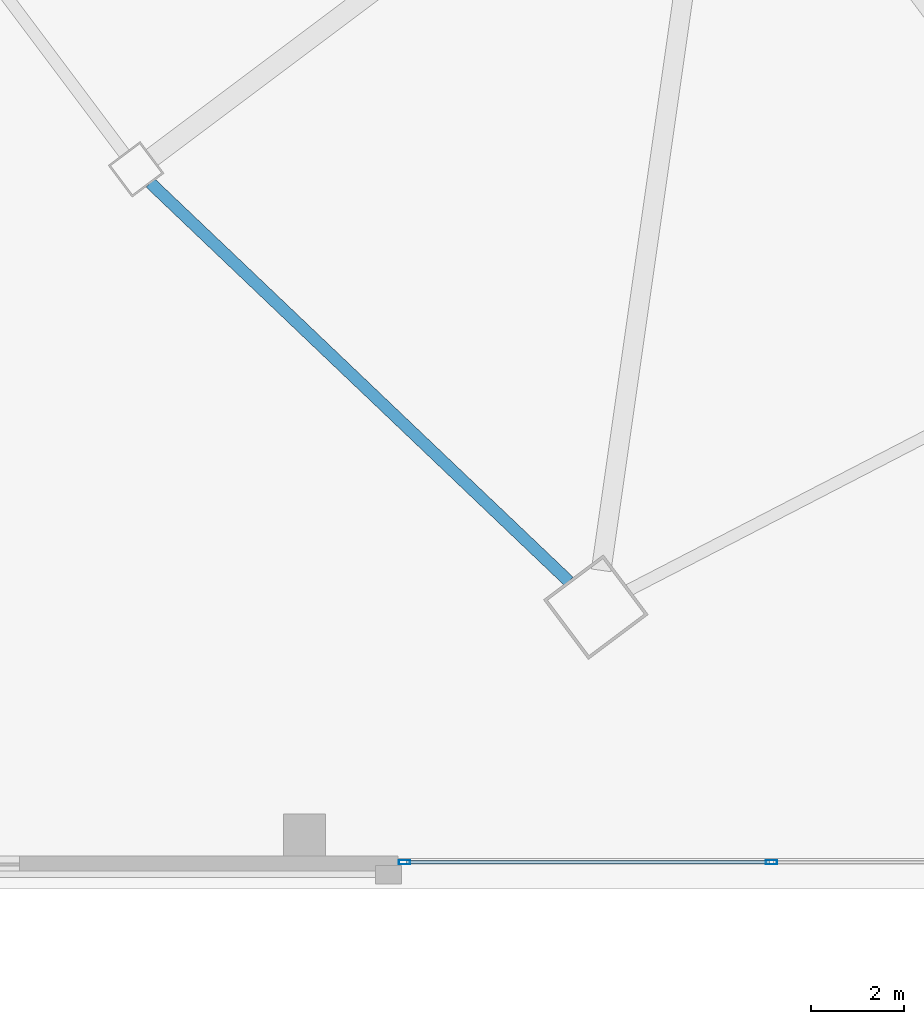
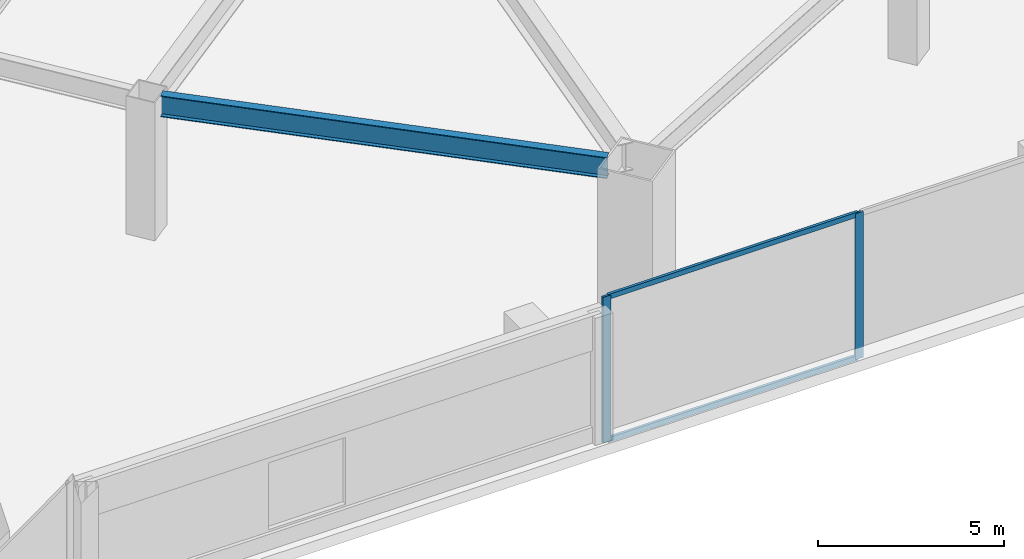
# One storey, part 18 of 44: 4 members, 1 beam, 1 element without a shape of its own.
"""IFC4 building model written with IfcOpenShell, lengths in metres."""

from ifc_helpers import new_model, si_unit, direction, frame, origin, origin_2d, place, context, subcontext, project, spatial, hollow_rectangle, i_section, extrude, material, material_profile, profile_set, type_object, element, aggregate, save


model = new_model("IFC4")

# Units and contexts
model_context = context("Model", 3, precision=1e-05, world=origin(), true_north=direction((0.0, 1.0)))
body_context = subcontext(model_context, "Body", "Model", "MODEL_VIEW")
ifc_project = project(units=[si_unit("LENGTHUNIT", "METRE"), si_unit("AREAUNIT", "SQUARE_METRE"), si_unit("VOLUMEUNIT", "CUBIC_METRE"), si_unit("PLANEANGLEUNIT", "RADIAN"), si_unit("MASSUNIT", "GRAM", prefix="KILO")], contexts=[model_context])

# Site, building, storey
site_placement = place(None, origin())
site = spatial("IfcSite", under=ifc_project, at=site_placement, CompositionType="ELEMENT")
building_placement = place(site_placement, origin())
building = spatial("IfcBuilding", under=site, at=building_placement, Name="Tashvorn Skyway Center", CompositionType="ELEMENT")
storey_placement = place(building_placement, frame((0.0, 0.0, 5.39990234375)))
storey = spatial("IfcBuildingStorey", under=building, at=storey_placement, Name="L01", CompositionType="ELEMENT", Elevation=5.39990234375)

# Beam
ifc_material_1 = material(Name="Steel ASTM A992 Grade 50", Category="steel")
ifc_material_profile_1 = material_profile(ifc_material_1, i_section(OverallWidth=0.256103515625, OverallDepth=0.693115234375, WebThickness=0.014404296875, FlangeThickness=0.023681640625, at=origin_2d()), Name="W27X114")
ifc_profile_set_1 = profile_set([ifc_material_profile_1], Name="Steel ASTM A992 Grade 50")
beam_type = type_object("IfcBeamType", Name="BM-SPANDREL-W27X114", PredefinedType="SPANDREL", material=ifc_profile_set_1)
beam_placement = place(storey_placement, frame((100.7041015625, 14.76025390625, 4.193603515625), z_axis=(0.724200339835, -0.689589637236, 0.0), x_axis=(0.689589637236, 0.724200339835, 0.0)))
element("IfcBeam", 1, at=beam_placement, inside=storey, type_object=beam_type, Name="Tower 2 L01 Spandrel Beam 12", PredefinedType="SPANDREL", context=body_context, shape_type="SweptSolid", body=[
    extrude(i_section(OverallWidth=0.256103515625, OverallDepth=0.693115234375, WebThickness=0.014404296875, FlangeThickness=0.023681640625, at=origin_2d()), origin(), (0.0, 0.0, 1.0), 12.37255859375),
])

# Curtain wall, members
ifc_material_2 = material(Name="Thermally broken bronze-anodized aluminium 6063-T6", Category="aluminium")
curtain_wall_type = type_object("IfcCurtainWallType", Name="CW-CW-Z1", PredefinedType="NOTDEFINED", material=ifc_material_2)
curtain_wall_placement = place(storey_placement, origin())
curtain_wall = element("IfcCurtainWall", 2, at=curtain_wall_placement, inside=storey, type_object=curtain_wall_type, Name="L01 South Station Arcade Curtain Wall 1", PredefinedType="NOTDEFINED")
ifc_material_profile_2 = material_profile(ifc_material_2, hollow_rectangle(XDim=0.0849609375, YDim=0.239990234375, WallThickness=0.0048828125, at=origin_2d()), Name="ALU-MULL-85x240")
ifc_profile_set_2 = profile_set([ifc_material_profile_2], Name="Thermally broken bronze-anodized aluminium 6063-T6")
member_type_1 = type_object("IfcMemberType", Name="CWM-CW-Z1", PredefinedType="MULLION", material=ifc_profile_set_2)
member_1_placement = place(storey_placement, frame((114.0, 0.219970703125, 0.0), z_axis=(0.0, 0.0, 1.0), x_axis=(0.0, -1.0, 0.0)))
member_1 = element("IfcMember", 3, at=member_1_placement, type_object=member_type_1, Name="CW-Z1 mullion 2", PredefinedType="MULLION", context=body_context, shape_type="SweptSolid", body=[
    extrude(hollow_rectangle(XDim=0.0849609375, YDim=0.239990234375, WallThickness=0.0048828125, at=origin_2d()), origin(), (0.0, 0.0, 1.0), 4.800048828125),
])
member_2_placement = place(storey_placement, frame((106.142578125, 0.219970703125, 0.0), z_axis=(0.0, 0.0, 1.0), x_axis=(0.0, -1.0, 0.0)))
member_2 = element("IfcMember", 4, at=member_2_placement, type_object=member_type_1, Name="CW-Z1 mullion 3", PredefinedType="MULLION", context=body_context, shape_type="SweptSolid", body=[
    extrude(hollow_rectangle(XDim=0.0849609375, YDim=0.239990234375, WallThickness=0.0048828125, at=origin_2d()), origin(), (0.0, 0.0, 1.0), 4.800048828125),
])
ifc_material_profile_3 = material_profile(ifc_material_2, hollow_rectangle(XDim=0.0849609375, YDim=0.1650390625, WallThickness=0.0048828125, at=origin_2d()), Name="ALU-TRAN-85x165")
ifc_profile_set_3 = profile_set([ifc_material_profile_3], Name="Thermally broken bronze-anodized aluminium 6063-T6")
member_type_2 = type_object("IfcMemberType", Name="CWT-CW-Z1", PredefinedType="USERDEFINED", material=ifc_profile_set_3)
member_3_placement = place(storey_placement, frame((113.95751953125, 0.219970703125, 0.04248046875), z_axis=(-1.0, 0.0, 0.0), x_axis=(0.0, -1.0, 0.0)))
member_3 = element("IfcMember", 5, at=member_3_placement, type_object=member_type_2, Name="CW-Z1 transom 2.1", ObjectType="TRANSOM", PredefinedType="USERDEFINED", context=body_context, shape_type="SweptSolid", body=[
    extrude(hollow_rectangle(XDim=0.0849609375, YDim=0.1650390625, WallThickness=0.0048828125, at=origin_2d()), origin(), (0.0, 0.0, 1.0), 7.7724609375),
])
member_4_placement = place(storey_placement, frame((113.95751953125, 0.219970703125, 4.757568359375), z_axis=(-1.0, 0.0, 0.0), x_axis=(0.0, -1.0, 0.0)))
member_4 = element("IfcMember", 6, at=member_4_placement, type_object=member_type_2, Name="CW-Z1 transom 2.2", ObjectType="TRANSOM", PredefinedType="USERDEFINED", context=body_context, shape_type="SweptSolid", body=[
    extrude(hollow_rectangle(XDim=0.0849609375, YDim=0.1650390625, WallThickness=0.0048828125, at=origin_2d()), origin(), (0.0, 0.0, 1.0), 7.7724609375),
])
aggregate(curtain_wall, [member_1, member_2, member_3, member_4])

save(model, "model.ifc")
